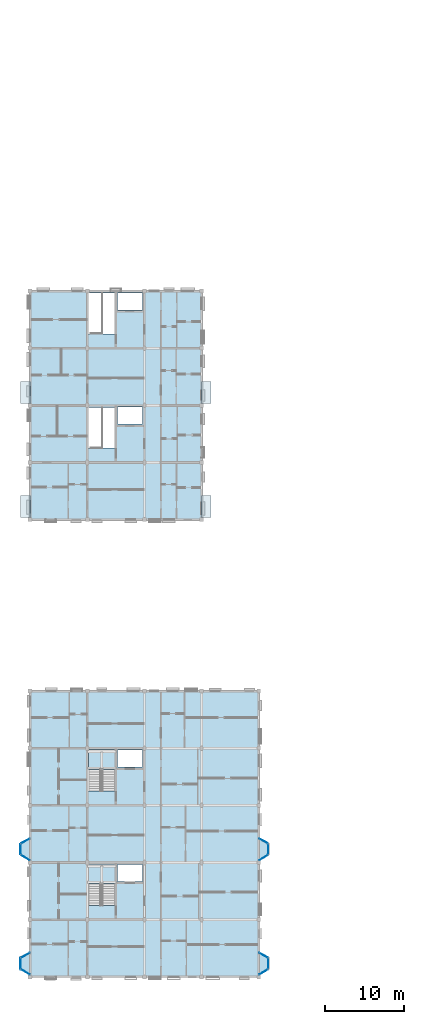
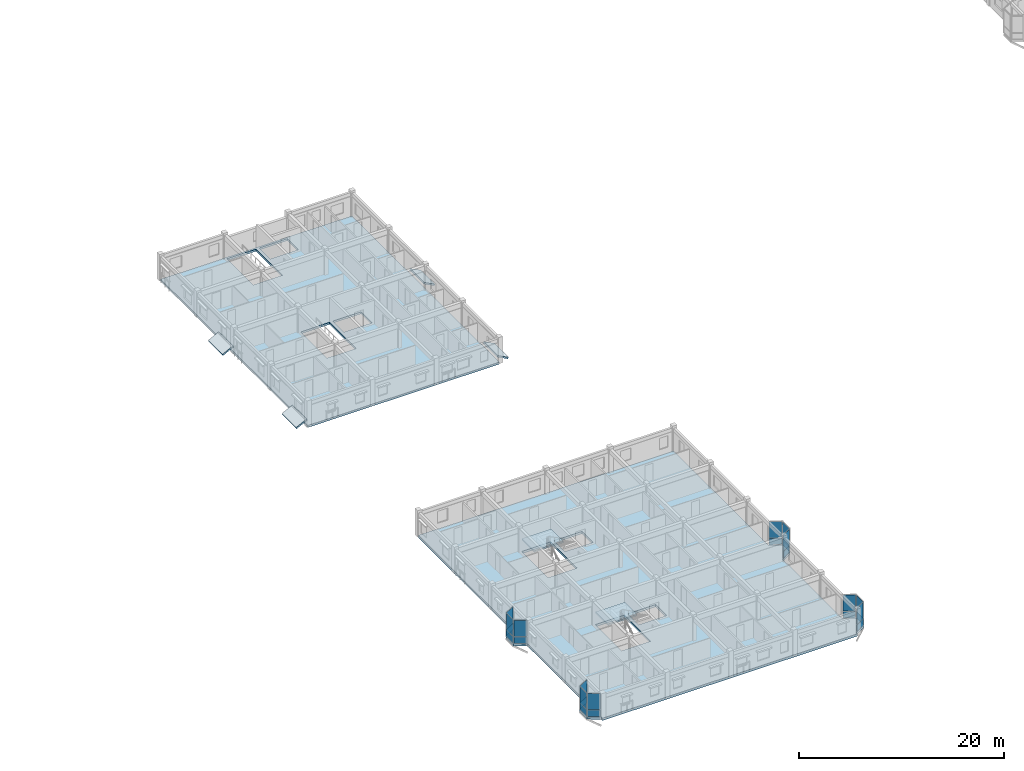
# One storey, part 36 of 64: 24 plates, 8 slabs, 14 elements without a shape of their own.
"""IFC4 building model written with IfcOpenShell, lengths in metres."""

from ifc_helpers import new_model, si_unit, direction, frame, origin, origin_2d, place, context, subcontext, project, spatial, polyline, rectangle, outline, extrude, material, layer, layer_set, type_object, element, aggregate, save


model = new_model("IFC4")

# Units and contexts
model_context = context("Model", 3, precision=1e-05, world=origin(), true_north=direction((0.0, 1.0)))
body_context = subcontext(model_context, "Body", "Model", "MODEL_VIEW")
ifc_project = project(units=[si_unit("LENGTHUNIT", "METRE"), si_unit("AREAUNIT", "SQUARE_METRE"), si_unit("VOLUMEUNIT", "CUBIC_METRE"), si_unit("PLANEANGLEUNIT", "RADIAN"), si_unit("MASSUNIT", "GRAM", prefix="KILO"), si_unit("THERMODYNAMICTEMPERATUREUNIT", "KELVIN"), si_unit("POWERUNIT", "WATT")], contexts=[model_context])

# Site, building, storey
site_placement = place(None, origin())
site = spatial("IfcSite", under=ifc_project, at=site_placement, CompositionType="ELEMENT")
building_placement = place(site_placement, origin())
building = spatial("IfcBuilding", under=site, at=building_placement, Name="Tavuni Mirador Residences", CompositionType="ELEMENT")
storey_placement = place(building_placement, frame((0.0, 0.0, 26.550048828125)))
storey = spatial("IfcBuildingStorey", under=building, at=storey_placement, Name="L08", CompositionType="ELEMENT", Elevation=26.550048828125)

# Curtain wall, plate
ifc_material_1 = material(Name="Anodised aluminium", Category="aluminium")
ifc_layer_1 = layer(ifc_material_1, 0.1650390625, Name="Anodised aluminium", Category="aluminium")
ifc_layer_set_1 = layer_set([ifc_layer_1], Name="Anodised aluminium")
curtain_wall_type_1 = type_object("IfcCurtainWallType", Name="CWT-MIR-A", PredefinedType="NOTDEFINED", material=ifc_layer_set_1)
curtain_wall_1_placement = place(storey_placement, origin())
curtain_wall_1 = element("IfcCurtainWall", 1, at=curtain_wall_1_placement, inside=storey, type_object=curtain_wall_type_1, Name="CW-MIR-A-E2-L08-M1", PredefinedType="NOTDEFINED")
ifc_material_2 = material(Name="Laminated solar-control glass", Category="glass")
ifc_layer_2 = layer(ifc_material_2, 0.02392578125, Name="Laminated solar-control glass", Category="glass")
ifc_layer_set_2 = layer_set([ifc_layer_2], Name="Laminated solar-control glass")
plate_type_1 = type_object("IfcPlateType", Name="CWP-GL24", PredefinedType="CURTAIN_PANEL", material=ifc_layer_set_2)
plate_1_placement = place(storey_placement, frame((33.0, 22.205078125, 0.8798828125), z_axis=(0.0, 0.0, 1.0), x_axis=(0.860640830284, 0.509212491254, 0.0)))
plate_1 = element("IfcPlate", 2, at=plate_1_placement, type_object=plate_type_1, Name="CW-01 panel 1.2", PredefinedType="CURTAIN_PANEL", context=body_context, shape_type="SweptSolid", body=[
    extrude(rectangle(XDim=1.2744140625, YDim=0.02392578125, at=origin_2d()), origin(), (0.0, 0.0, 1.0), 1.929931640625),
])

curtain_wall_2_placement = place(storey_placement, origin())
curtain_wall_2 = element("IfcCurtainWall", 3, at=curtain_wall_2_placement, inside=storey, type_object=curtain_wall_type_1, Name="CW-MIR-A-W2-L08-MF", PredefinedType="NOTDEFINED")
plate_2_placement = place(storey_placement, frame((2.39990234375, 23.27001953125, 0.8798828125), z_axis=(0.0, 0.0, 1.0), x_axis=(0.0, -1.0, 0.0)))
plate_2 = element("IfcPlate", 4, at=plate_2_placement, type_object=plate_type_1, Name="CW-01 panel 1.2", PredefinedType="CURTAIN_PANEL", context=body_context, shape_type="SweptSolid", body=[
    extrude(rectangle(XDim=1.300048828125, YDim=0.02392578125, at=origin_2d()), origin(), (0.0, 0.0, 1.0), 1.929931640625),
])

curtain_wall_3_placement = place(storey_placement, origin())
curtain_wall_3 = element("IfcCurtainWall", 5, at=curtain_wall_3_placement, inside=storey, type_object=curtain_wall_type_1, Name="CW-MIR-A-W1-L08-M2", PredefinedType="NOTDEFINED")
plate_3_placement = place(storey_placement, frame((3.0, 7.804931640625, 0.8798828125), z_axis=(0.0, 0.0, 1.0), x_axis=(0.860640830284, -0.509212491254, 0.0)))
plate_3 = element("IfcPlate", 6, at=plate_3_placement, type_object=plate_type_1, Name="CW-01 panel 1.2", PredefinedType="CURTAIN_PANEL", context=body_context, shape_type="SweptSolid", body=[
    extrude(rectangle(XDim=1.2744140625, YDim=0.02392578125, at=origin_2d()), origin(), (0.0, 0.0, 1.0), 1.929931640625),
])

ifc_layer_3 = layer(ifc_material_1, 0.14990234375, Name="Anodised aluminium", Category="aluminium")
ifc_layer_set_3 = layer_set([ifc_layer_3], Name="Anodised aluminium")
curtain_wall_type_2 = type_object("IfcCurtainWallType", Name="CWT-MIR-B", PredefinedType="NOTDEFINED", material=ifc_layer_set_3)
curtain_wall_4_placement = place(storey_placement, origin())
curtain_wall_4 = element("IfcCurtainWall", 7, at=curtain_wall_4_placement, inside=storey, type_object=curtain_wall_type_2, Name="CW-MIR-A-E1-L08-M1", PredefinedType="NOTDEFINED")
ifc_layer_4 = layer(ifc_material_2, 0.028076171875, Name="Laminated solar-control glass", Category="glass")
ifc_layer_set_4 = layer_set([ifc_layer_4], Name="Laminated solar-control glass")
plate_type_2 = type_object("IfcPlateType", Name="CWP-GL28", PredefinedType="CURTAIN_PANEL", material=ifc_layer_set_4)
plate_4_placement = place(storey_placement, frame((33.0, 7.804931640625, 0.88232421875), z_axis=(0.0, 0.0, 1.0), x_axis=(0.860640830284, 0.509212491254, 0.0)))
plate_4 = element("IfcPlate", 8, at=plate_4_placement, type_object=plate_type_2, Name="CW-02 panel 1.2", PredefinedType="CURTAIN_PANEL", context=body_context, shape_type="SweptSolid", body=[
    extrude(rectangle(XDim=1.264404296875, YDim=0.028076171875, at=origin_2d()), origin(), (0.0, 0.0, 1.0), 1.922607421875),
])

curtain_wall_5_placement = place(storey_placement, origin())
curtain_wall_5 = element("IfcCurtainWall", 9, at=curtain_wall_5_placement, inside=storey, type_object=curtain_wall_type_2, Name="CW-MIR-A-E2-L08-MF", PredefinedType="NOTDEFINED")
plate_5_placement = place(storey_placement, frame((33.60009765625, 23.27001953125, 0.88232421875), z_axis=(0.0, 0.0, 1.0), x_axis=(0.0, 1.0, 0.0)))
plate_5 = element("IfcPlate", 10, at=plate_5_placement, type_object=plate_type_2, Name="CW-02 panel 1.2", PredefinedType="CURTAIN_PANEL", context=body_context, shape_type="SweptSolid", body=[
    extrude(rectangle(XDim=1.2900390625, YDim=0.028076171875, at=origin_2d()), origin(), (0.0, 0.0, 1.0), 1.922607421875),
])

curtain_wall_6_placement = place(storey_placement, origin())
curtain_wall_6 = element("IfcCurtainWall", 11, at=curtain_wall_6_placement, inside=storey, type_object=curtain_wall_type_2, Name="CW-MIR-A-W2-L08-M2", PredefinedType="NOTDEFINED")
plate_6_placement = place(storey_placement, frame((3.0, 22.205078125, 0.88232421875), z_axis=(0.0, 0.0, 1.0), x_axis=(0.860640830284, -0.509212491254, 0.0)))
plate_6 = element("IfcPlate", 12, at=plate_6_placement, type_object=plate_type_2, Name="CW-02 panel 1.2", PredefinedType="CURTAIN_PANEL", context=body_context, shape_type="SweptSolid", body=[
    extrude(rectangle(XDim=1.264404296875, YDim=0.028076171875, at=origin_2d()), origin(), (0.0, 0.0, 1.0), 1.922607421875),
])

ifc_layer_5 = layer(ifc_material_1, 0.175048828125, Name="Anodised aluminium", Category="aluminium")
ifc_layer_set_5 = layer_set([ifc_layer_5], Name="Anodised aluminium")
curtain_wall_type_3 = type_object("IfcCurtainWallType", Name="CWT-MIR-C", PredefinedType="NOTDEFINED", material=ifc_layer_set_5)
curtain_wall_7_placement = place(storey_placement, origin())
curtain_wall_7 = element("IfcCurtainWall", 13, at=curtain_wall_7_placement, inside=storey, type_object=curtain_wall_type_3, Name="CW-MIR-A-E1-L08-MF", PredefinedType="NOTDEFINED")
ifc_layer_6 = layer(ifc_material_2, 0.031982421875, Name="Laminated solar-control glass", Category="glass")
ifc_layer_set_6 = layer_set([ifc_layer_6], Name="Laminated solar-control glass")
plate_type_3 = type_object("IfcPlateType", Name="CWP-GL32", PredefinedType="CURTAIN_PANEL", material=ifc_layer_set_6)
plate_7_placement = place(storey_placement, frame((33.60009765625, 8.8701171875, 0.8798828125), z_axis=(0.0, 0.0, 1.0), x_axis=(0.0, 1.0, 0.0)))
plate_7 = element("IfcPlate", 14, at=plate_7_placement, type_object=plate_type_3, Name="CW-03 panel 1.2", PredefinedType="CURTAIN_PANEL", context=body_context, shape_type="SweptSolid", body=[
    extrude(rectangle(XDim=1.300048828125, YDim=0.031982421875, at=origin_2d()), origin(), (0.0, 0.0, 1.0), 1.929931640625),
])

curtain_wall_8_placement = place(storey_placement, origin())
curtain_wall_8 = element("IfcCurtainWall", 15, at=curtain_wall_8_placement, inside=storey, type_object=curtain_wall_type_3, Name="CW-MIR-A-E2-L08-M2", PredefinedType="NOTDEFINED")
plate_8_placement = place(storey_placement, frame((33.0, 24.300048828125, 0.8798828125), z_axis=(0.0, 0.0, 1.0), x_axis=(-0.882352941175, 0.470588235296, 0.0)))
plate_8 = element("IfcPlate", 16, at=plate_8_placement, type_object=plate_type_3, Name="CW-03 panel 1.2", PredefinedType="CURTAIN_PANEL", context=body_context, shape_type="SweptSolid", body=[
    extrude(rectangle(XDim=1.239990234375, YDim=0.031982421875, at=origin_2d()), origin(), (0.0, 0.0, 1.0), 1.929931640625),
])

curtain_wall_9_placement = place(storey_placement, origin())
curtain_wall_9 = element("IfcCurtainWall", 17, at=curtain_wall_9_placement, inside=storey, type_object=curtain_wall_type_3, Name="CW-MIR-A-W1-L08-M1", PredefinedType="NOTDEFINED")
plate_9_placement = place(storey_placement, frame((3.0, 9.89990234375, 0.8798828125), z_axis=(0.0, 0.0, 1.0), x_axis=(-0.882352941175, -0.470588235296, 0.0)))
plate_9 = element("IfcPlate", 18, at=plate_9_placement, type_object=plate_type_3, Name="CW-03 panel 1.2", PredefinedType="CURTAIN_PANEL", context=body_context, shape_type="SweptSolid", body=[
    extrude(rectangle(XDim=1.239990234375, YDim=0.031982421875, at=origin_2d()), origin(), (0.0, 0.0, 1.0), 1.929931640625),
])

ifc_layer_7 = layer(ifc_material_1, 0.159912109375, Name="Anodised aluminium", Category="aluminium")
ifc_layer_set_7 = layer_set([ifc_layer_7], Name="Anodised aluminium")
curtain_wall_type_4 = type_object("IfcCurtainWallType", Name="CWT-MIR-D", PredefinedType="NOTDEFINED", material=ifc_layer_set_7)
curtain_wall_10_placement = place(storey_placement, origin())
curtain_wall_10 = element("IfcCurtainWall", 19, at=curtain_wall_10_placement, inside=storey, type_object=curtain_wall_type_4, Name="CW-MIR-A-E1-L08-M2", PredefinedType="NOTDEFINED")
ifc_layer_8 = layer(ifc_material_2, 0.035888671875, Name="Laminated solar-control glass", Category="glass")
ifc_layer_set_8 = layer_set([ifc_layer_8], Name="Laminated solar-control glass")
plate_type_4 = type_object("IfcPlateType", Name="CWP-GL36", PredefinedType="CURTAIN_PANEL", material=ifc_layer_set_8)
plate_10_placement = place(storey_placement, frame((33.0, 9.89990234375, 0.88232421875), z_axis=(0.0, 0.0, 1.0), x_axis=(-0.882352941175, 0.470588235296, 0.0)))
plate_10 = element("IfcPlate", 20, at=plate_10_placement, type_object=plate_type_4, Name="CW-04 panel 1.2", PredefinedType="CURTAIN_PANEL", context=body_context, shape_type="SweptSolid", body=[
    extrude(rectangle(XDim=1.22998046875, YDim=0.035888671875, at=origin_2d()), origin(), (0.0, 0.0, 1.0), 1.922607421875),
])

curtain_wall_11_placement = place(storey_placement, origin())
curtain_wall_11 = element("IfcCurtainWall", 21, at=curtain_wall_11_placement, inside=storey, type_object=curtain_wall_type_4, Name="CW-MIR-A-W2-L08-M1", PredefinedType="NOTDEFINED")
plate_11_placement = place(storey_placement, frame((3.0, 24.300048828125, 0.88232421875), z_axis=(0.0, 0.0, 1.0), x_axis=(-0.882352941175, -0.470588235296, 0.0)))
plate_11 = element("IfcPlate", 22, at=plate_11_placement, type_object=plate_type_4, Name="CW-04 panel 1.2", PredefinedType="CURTAIN_PANEL", context=body_context, shape_type="SweptSolid", body=[
    extrude(rectangle(XDim=1.22998046875, YDim=0.035888671875, at=origin_2d()), origin(), (0.0, 0.0, 1.0), 1.922607421875),
])

curtain_wall_12_placement = place(storey_placement, origin())
curtain_wall_12 = element("IfcCurtainWall", 23, at=curtain_wall_12_placement, inside=storey, type_object=curtain_wall_type_4, Name="CW-MIR-A-W1-L08-MF", PredefinedType="NOTDEFINED")
plate_12_placement = place(storey_placement, frame((2.39990234375, 8.8701171875, 0.88232421875), z_axis=(0.0, 0.0, 1.0), x_axis=(0.0, -1.0, 0.0)))
plate_12 = element("IfcPlate", 24, at=plate_12_placement, type_object=plate_type_4, Name="CW-04 panel 1.2", PredefinedType="CURTAIN_PANEL", context=body_context, shape_type="SweptSolid", body=[
    extrude(rectangle(XDim=1.2900390625, YDim=0.035888671875, at=origin_2d()), origin(), (0.0, 0.0, 1.0), 1.922607421875),
])

# Plate
ifc_material_3 = material(Name="Ceramic trencadis mosaic panel", Category="masonry")
ifc_layer_9 = layer(ifc_material_3, 0.0419921875, Name="Ceramic trencadis mosaic panel", Category="masonry")
ifc_layer_set_9 = layer_set([ifc_layer_9], Name="Ceramic trencadis mosaic panel")
plate_type_5 = type_object("IfcPlateType", Name="CWP-SP42", PredefinedType="CURTAIN_PANEL", material=ifc_layer_set_9)
plate_13_placement = place(storey_placement, frame((33.60009765625, 8.8701171875, 0.06005859375), z_axis=(0.0, 0.0, 1.0), x_axis=(0.0, 1.0, 0.0)))
plate_13 = element("IfcPlate", 25, at=plate_13_placement, type_object=plate_type_5, Name="CW-03 panel 1.1", PredefinedType="CURTAIN_PANEL", context=body_context, shape_type="SweptSolid", body=[
    extrude(rectangle(XDim=1.300048828125, YDim=0.0419921875, at=origin_2d()), origin(), (0.0, 0.0, 1.0), 0.760009765625),
])

aggregate(curtain_wall_7, [plate_13, plate_7])

plate_14_placement = place(storey_placement, frame((33.0, 22.205078125, 0.06005859375), z_axis=(0.0, 0.0, 1.0), x_axis=(0.860640830284, 0.509212491254, 0.0)))
plate_14 = element("IfcPlate", 26, at=plate_14_placement, type_object=plate_type_5, Name="CW-01 panel 1.1", PredefinedType="CURTAIN_PANEL", context=body_context, shape_type="SweptSolid", body=[
    extrude(rectangle(XDim=1.2744140625, YDim=0.0419921875, at=origin_2d()), origin(), (0.0, 0.0, 1.0), 0.760009765625),
])

aggregate(curtain_wall_1, [plate_14, plate_1])

plate_15_placement = place(storey_placement, frame((33.0, 24.300048828125, 0.06005859375), z_axis=(0.0, 0.0, 1.0), x_axis=(-0.882352941175, 0.470588235296, 0.0)))
plate_15 = element("IfcPlate", 27, at=plate_15_placement, type_object=plate_type_5, Name="CW-03 panel 1.1", PredefinedType="CURTAIN_PANEL", context=body_context, shape_type="SweptSolid", body=[
    extrude(rectangle(XDim=1.239990234375, YDim=0.0419921875, at=origin_2d()), origin(), (0.0, 0.0, 1.0), 0.760009765625),
])

aggregate(curtain_wall_8, [plate_15, plate_8])

plate_16_placement = place(storey_placement, frame((2.39990234375, 23.27001953125, 0.06005859375), z_axis=(0.0, 0.0, 1.0), x_axis=(0.0, -1.0, 0.0)))
plate_16 = element("IfcPlate", 28, at=plate_16_placement, type_object=plate_type_5, Name="CW-01 panel 1.1", PredefinedType="CURTAIN_PANEL", context=body_context, shape_type="SweptSolid", body=[
    extrude(rectangle(XDim=1.300048828125, YDim=0.0419921875, at=origin_2d()), origin(), (0.0, 0.0, 1.0), 0.760009765625),
])

aggregate(curtain_wall_2, [plate_16, plate_2])

plate_17_placement = place(storey_placement, frame((3.0, 9.89990234375, 0.06005859375), z_axis=(0.0, 0.0, 1.0), x_axis=(-0.882352941175, -0.470588235296, 0.0)))
plate_17 = element("IfcPlate", 29, at=plate_17_placement, type_object=plate_type_5, Name="CW-03 panel 1.1", PredefinedType="CURTAIN_PANEL", context=body_context, shape_type="SweptSolid", body=[
    extrude(rectangle(XDim=1.239990234375, YDim=0.0419921875, at=origin_2d()), origin(), (0.0, 0.0, 1.0), 0.760009765625),
])

aggregate(curtain_wall_9, [plate_17, plate_9])

plate_18_placement = place(storey_placement, frame((3.0, 7.804931640625, 0.06005859375), z_axis=(0.0, 0.0, 1.0), x_axis=(0.860640830284, -0.509212491254, 0.0)))
plate_18 = element("IfcPlate", 30, at=plate_18_placement, type_object=plate_type_5, Name="CW-01 panel 1.1", PredefinedType="CURTAIN_PANEL", context=body_context, shape_type="SweptSolid", body=[
    extrude(rectangle(XDim=1.2744140625, YDim=0.0419921875, at=origin_2d()), origin(), (0.0, 0.0, 1.0), 0.760009765625),
])

aggregate(curtain_wall_3, [plate_18, plate_3])

ifc_layer_10 = layer(ifc_material_3, 0.048095703125, Name="Ceramic trencadis mosaic panel", Category="masonry")
ifc_layer_set_10 = layer_set([ifc_layer_10], Name="Ceramic trencadis mosaic panel")
plate_type_6 = type_object("IfcPlateType", Name="CWP-SP48", PredefinedType="CURTAIN_PANEL", material=ifc_layer_set_10)
plate_19_placement = place(storey_placement, frame((33.0, 7.804931640625, 0.06494140625), z_axis=(0.0, 0.0, 1.0), x_axis=(0.860640830284, 0.509212491254, 0.0)))
plate_19 = element("IfcPlate", 31, at=plate_19_placement, type_object=plate_type_6, Name="CW-02 panel 1.1", PredefinedType="CURTAIN_PANEL", context=body_context, shape_type="SweptSolid", body=[
    extrude(rectangle(XDim=1.264404296875, YDim=0.048095703125, at=origin_2d()), origin(), (0.0, 0.0, 1.0), 0.75244140625),
])

aggregate(curtain_wall_4, [plate_19, plate_4])

plate_20_placement = place(storey_placement, frame((33.0, 9.89990234375, 0.06494140625), z_axis=(0.0, 0.0, 1.0), x_axis=(-0.882352941175, 0.470588235296, 0.0)))
plate_20 = element("IfcPlate", 32, at=plate_20_placement, type_object=plate_type_6, Name="CW-04 panel 1.1", PredefinedType="CURTAIN_PANEL", context=body_context, shape_type="SweptSolid", body=[
    extrude(rectangle(XDim=1.22998046875, YDim=0.048095703125, at=origin_2d()), origin(), (0.0, 0.0, 1.0), 0.75244140625),
])

aggregate(curtain_wall_10, [plate_20, plate_10])

plate_21_placement = place(storey_placement, frame((33.60009765625, 23.27001953125, 0.06494140625), z_axis=(0.0, 0.0, 1.0), x_axis=(0.0, 1.0, 0.0)))
plate_21 = element("IfcPlate", 33, at=plate_21_placement, type_object=plate_type_6, Name="CW-02 panel 1.1", PredefinedType="CURTAIN_PANEL", context=body_context, shape_type="SweptSolid", body=[
    extrude(rectangle(XDim=1.2900390625, YDim=0.048095703125, at=origin_2d()), origin(), (0.0, 0.0, 1.0), 0.75244140625),
])

aggregate(curtain_wall_5, [plate_21, plate_5])

plate_22_placement = place(storey_placement, frame((3.0, 24.300048828125, 0.06494140625), z_axis=(0.0, 0.0, 1.0), x_axis=(-0.882352941175, -0.470588235296, 0.0)))
plate_22 = element("IfcPlate", 34, at=plate_22_placement, type_object=plate_type_6, Name="CW-04 panel 1.1", PredefinedType="CURTAIN_PANEL", context=body_context, shape_type="SweptSolid", body=[
    extrude(rectangle(XDim=1.22998046875, YDim=0.048095703125, at=origin_2d()), origin(), (0.0, 0.0, 1.0), 0.75244140625),
])

aggregate(curtain_wall_11, [plate_22, plate_11])

plate_23_placement = place(storey_placement, frame((3.0, 22.205078125, 0.06494140625), z_axis=(0.0, 0.0, 1.0), x_axis=(0.860640830284, -0.509212491254, 0.0)))
plate_23 = element("IfcPlate", 35, at=plate_23_placement, type_object=plate_type_6, Name="CW-02 panel 1.1", PredefinedType="CURTAIN_PANEL", context=body_context, shape_type="SweptSolid", body=[
    extrude(rectangle(XDim=1.264404296875, YDim=0.048095703125, at=origin_2d()), origin(), (0.0, 0.0, 1.0), 0.75244140625),
])

aggregate(curtain_wall_6, [plate_23, plate_6])

plate_24_placement = place(storey_placement, frame((2.39990234375, 8.8701171875, 0.06494140625), z_axis=(0.0, 0.0, 1.0), x_axis=(0.0, -1.0, 0.0)))
plate_24 = element("IfcPlate", 36, at=plate_24_placement, type_object=plate_type_6, Name="CW-04 panel 1.1", PredefinedType="CURTAIN_PANEL", context=body_context, shape_type="SweptSolid", body=[
    extrude(rectangle(XDim=1.2900390625, YDim=0.048095703125, at=origin_2d()), origin(), (0.0, 0.0, 1.0), 0.75244140625),
])

aggregate(curtain_wall_12, [plate_24, plate_12])

# Slabs
ifc_material_4 = material(Name="Prestressed concrete C45/55", Category="concrete")
ifc_layer_11 = layer(ifc_material_4, 0.239990234375, Name="Prestressed concrete C45/55", Category="concrete")
ifc_layer_set_11 = layer_set([ifc_layer_11], Name="Prestressed concrete C45/55")
slab_type_1 = type_object("IfcSlabType", Name="SLT-FLR240", PredefinedType="FLOOR", material=ifc_layer_set_11)
slab_1_placement = place(storey_placement, frame((0.0, 0.0, -0.239990234375)))
element("IfcSlab", 37, at=slab_1_placement, inside=storey, type_object=slab_type_1, Name="SLB-BLK-B-L08", PredefinedType="FLOOR", context=body_context, shape_type="SweptSolid", body=[
    extrude(outline(polyline([(3.60009765625, 64.800048828125), (25.199951171875, 64.800048828125), (25.199951171875, 93.60009765625), (3.60009765625, 93.60009765625), (3.60009765625, 64.800048828125)]), holes=[polyline([(10.9599609375, 73.80810546875), (14.239990234375, 73.80810546875), (14.239990234375, 78.9599609375), (10.9599609375, 78.9599609375), (10.9599609375, 73.80810546875)]), polyline([(14.6201171875, 76.820068359375), (17.780029296875, 76.820068359375), (17.780029296875, 78.97998046875), (14.6201171875, 78.97998046875), (14.6201171875, 76.820068359375)]), polyline([(10.9599609375, 88.2080078125), (14.239990234375, 88.2080078125), (14.239990234375, 93.360107421875), (10.9599609375, 93.360107421875), (10.9599609375, 88.2080078125)]), polyline([(14.6201171875, 91.219970703125), (17.780029296875, 91.219970703125), (17.780029296875, 93.3798828125), (14.6201171875, 93.3798828125), (14.6201171875, 91.219970703125)])]), origin(), (0.0, 0.0, 1.0), 0.239990234375),
])
ifc_layer_12 = layer(ifc_material_4, 0.280029296875, Name="Prestressed concrete C45/55", Category="concrete")
ifc_layer_set_12 = layer_set([ifc_layer_12], Name="Prestressed concrete C45/55")
slab_type_2 = type_object("IfcSlabType", Name="SLT-FLR280", PredefinedType="FLOOR", material=ifc_layer_set_12)
slab_2_placement = place(storey_placement, frame((0.0, 0.0, -0.280029296875)))
element("IfcSlab", 38, at=slab_2_placement, inside=storey, type_object=slab_type_2, Name="SLB-BLK-A-L08", PredefinedType="FLOOR", context=body_context, shape_type="SweptSolid", body=[
    extrude(outline(polyline([(3.60009765625, 7.199951171875), (32.39990234375, 7.199951171875), (32.39990234375, 7.449951171875), (33.60009765625, 8.159912109375), (33.60009765625, 9.580078125), (32.39990234375, 10.219970703125), (32.39990234375, 21.85009765625), (33.60009765625, 22.56005859375), (33.60009765625, 23.97998046875), (32.39990234375, 24.6201171875), (32.39990234375, 43.199951171875), (3.60009765625, 43.199951171875), (3.60009765625, 24.6201171875), (2.39990234375, 23.97998046875), (2.39990234375, 22.56005859375), (3.60009765625, 21.85009765625), (3.60009765625, 10.219970703125), (2.39990234375, 9.580078125), (2.39990234375, 8.159912109375), (3.60009765625, 7.449951171875), (3.60009765625, 7.199951171875)]), holes=[polyline([(10.9599609375, 16.2080078125), (14.239990234375, 16.2080078125), (14.239990234375, 21.360107421875), (10.9599609375, 21.360107421875), (10.9599609375, 16.2080078125)]), polyline([(14.6201171875, 19.219970703125), (17.780029296875, 19.219970703125), (17.780029296875, 21.3798828125), (14.6201171875, 21.3798828125), (14.6201171875, 19.219970703125)]), polyline([(10.9599609375, 30.60791015625), (14.239990234375, 30.60791015625), (14.239990234375, 35.760009765625), (10.9599609375, 35.760009765625), (10.9599609375, 30.60791015625)]), polyline([(14.6201171875, 33.6201171875), (17.780029296875, 33.6201171875), (17.780029296875, 35.780029296875), (14.6201171875, 35.780029296875), (14.6201171875, 33.6201171875)])]), origin(), (0.0, 0.0, 1.0), 0.280029296875),
])

# Stair, slab
ifc_material_5 = material(Name="Precast concrete C40/50", Category="concrete")
stair_type = type_object("IfcStairType", Name="STT-TYP", PredefinedType="HALF_TURN_STAIR", material=ifc_material_5)
stair_1_placement = place(storey_placement, origin())
stair_1 = element("IfcStair", 39, at=stair_1_placement, inside=storey, type_object=stair_type, Name="Protected exit stair ST1 (L08)", PredefinedType="HALF_TURN_STAIR")
ifc_layer_13 = layer(ifc_material_5, 0.179931640625, Name="Precast concrete C40/50", Category="concrete")
ifc_layer_set_13 = layer_set([ifc_layer_13], Name="Precast concrete C40/50")
slab_type_3 = type_object("IfcSlabType", Name="SLT-LND180", PredefinedType="LANDING", material=ifc_layer_set_13)
slab_3_placement = place(storey_placement, frame((0.0, 0.0, 1.39501953125)))
slab_3 = element("IfcSlab", 40, at=slab_3_placement, type_object=slab_type_3, Name="ST1 landing 1", PredefinedType="LANDING", context=body_context, shape_type="SweptSolid", body=[
    extrude(outline(polyline([(10.93994140625, 18.89208984375), (14.260009765625, 18.89208984375), (14.260009765625, 21.300048828125), (10.93994140625, 21.300048828125), (10.93994140625, 18.89208984375)])), origin(), (0.0, 0.0, 1.0), 0.179931640625),
])
aggregate(stair_1, [slab_3])

stair_2_placement = place(storey_placement, origin())
stair_2 = element("IfcStair", 41, at=stair_2_placement, inside=storey, type_object=stair_type, Name="Protected exit stair ST2 (L08)", PredefinedType="HALF_TURN_STAIR")
slab_4_placement = place(storey_placement, frame((0.0, 0.0, 1.39501953125)))
slab_4 = element("IfcSlab", 42, at=slab_4_placement, type_object=slab_type_3, Name="ST2 landing 1", PredefinedType="LANDING", context=body_context, shape_type="SweptSolid", body=[
    extrude(outline(polyline([(10.93994140625, 33.2919921875), (14.260009765625, 33.2919921875), (14.260009765625, 35.699951171875), (10.93994140625, 35.699951171875), (10.93994140625, 33.2919921875)])), origin(), (0.0, 0.0, 1.0), 0.179931640625),
])
aggregate(stair_2, [slab_4])

# Slabs
ifc_layer_14 = layer(ifc_material_5, 0.175048828125, Name="Precast concrete C40/50", Category="concrete")
ifc_layer_set_14 = layer_set([ifc_layer_14], Name="Precast concrete C40/50")
slab_type_4 = type_object("IfcSlabType", Name="SLT-RF175", PredefinedType="ROOF", material=ifc_layer_set_14)
for number, where, z_axis, x_axis, name in (
    (43, (3.60009765625, 65.050048828125, 0.619873046875), (-0.458886902548, 0.0, 0.888494688037), (0.0, 1.0, 0.0), "Mirador roof hood MIR-B-W1"),
    (44, (3.60009765625, 79.449951171875, 0.619873046875), (-0.458886902548, 0.0, 0.888494688037), (0.0, 1.0, 0.0), "Mirador roof hood MIR-B-W2"),
):
    element("IfcSlab", number, at=place(storey_placement, frame(where, z_axis=z_axis, x_axis=x_axis)), inside=storey, type_object=slab_type_4, Name=name, PredefinedType="ROOF", context=body_context, shape_type="SweptSolid", body=[
        extrude(outline(polyline([(0.0, 0.0), (2.77001953125, 0.0), (2.77001953125, 1.3508187822165745), (0.0, 1.3508187822165745), (0.0, 0.0)])), origin(), (0.0, 0.0, -1.0), 0.175048828125),
    ])
for number, where, z_axis, x_axis, name in (
    (45, (25.199951171875, 65.050048828125, 0.619873046875), (0.458960601939, 0.0, 0.888456620138), (0.0, 1.0, 0.0), "Mirador roof hood MIR-B-E1"),
    (46, (25.199951171875, 79.449951171875, 0.619873046875), (0.458960601939, 0.0, 0.888456620138), (0.0, 1.0, 0.0), "Mirador roof hood MIR-B-E2"),
):
    element("IfcSlab", number, at=place(storey_placement, frame(where, z_axis=z_axis, x_axis=x_axis)), inside=storey, type_object=slab_type_4, Name=name, PredefinedType="ROOF", context=body_context, shape_type="SweptSolid", body=[
        extrude(outline(polyline([(0.0, 0.0), (2.77001953125, 0.0), (2.77001953125, -1.3506018692147148), (0.0, -1.3506018692147148), (0.0, 0.0)])), origin(), (0.0, 0.0, -1.0), 0.175048828125),
    ])

save(model, "model.ifc")
